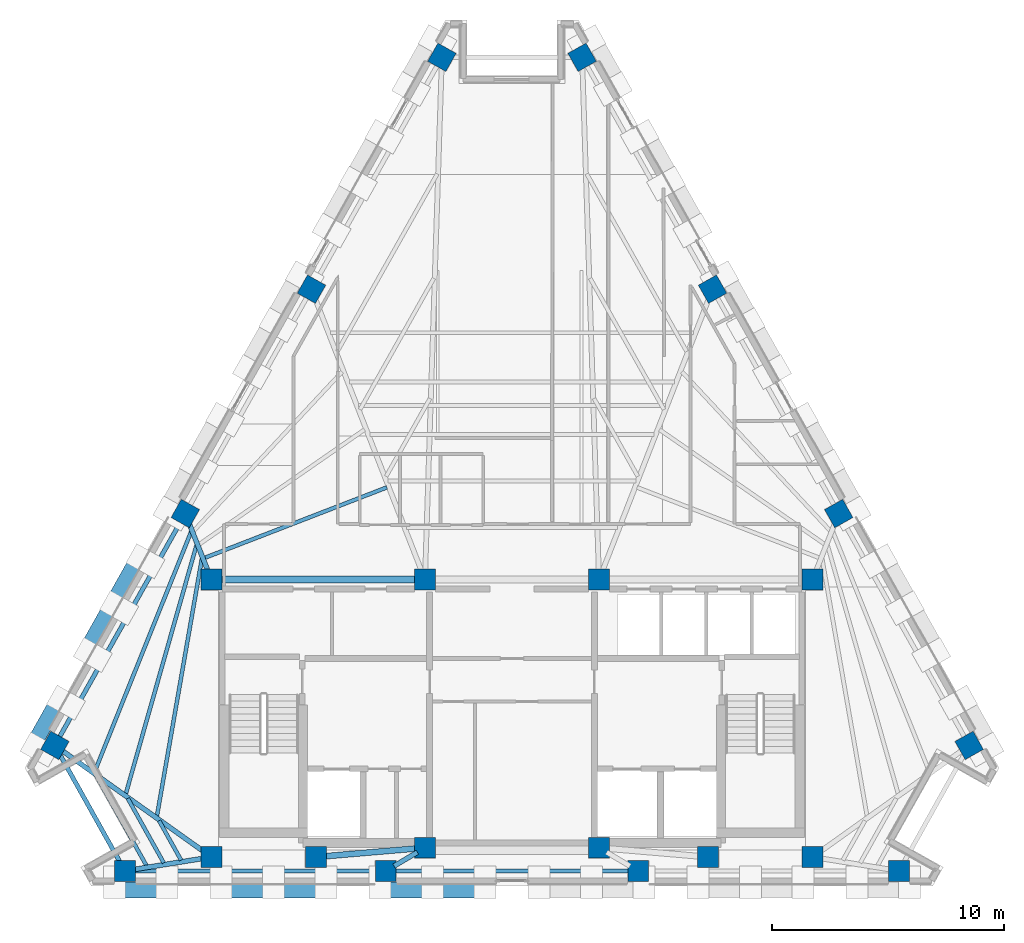
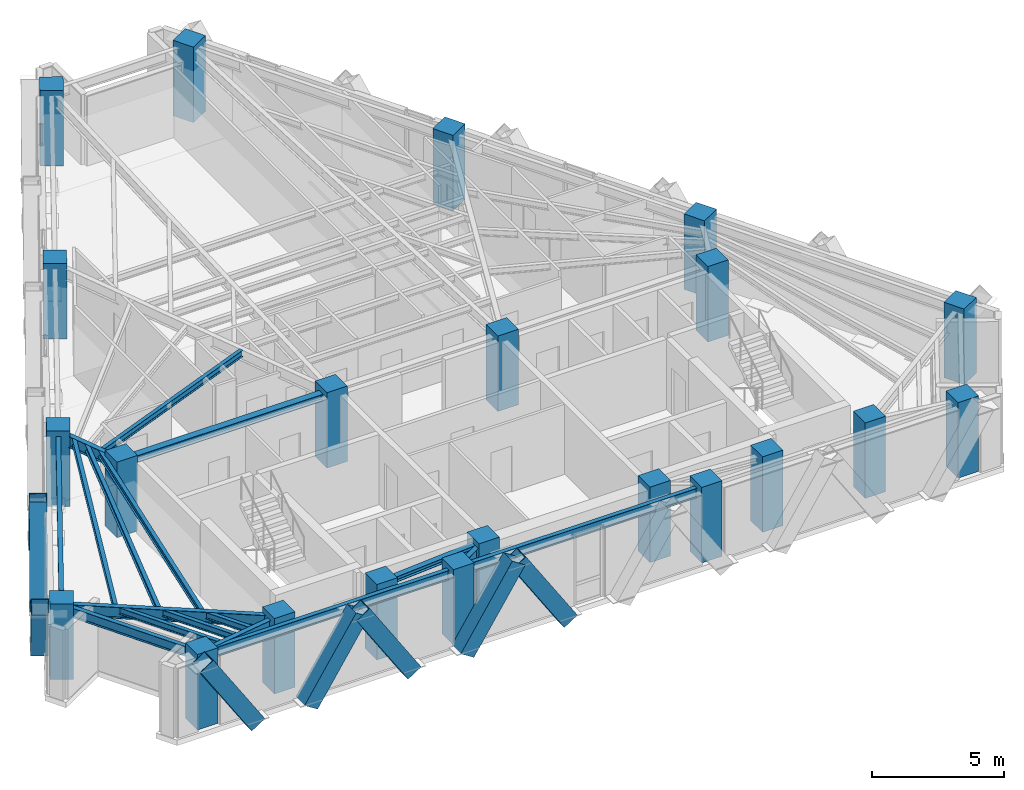
# One storey, part 1 of 13: 22 columns, 17 beams, 8 members.
"""IFC4 building model written with IfcOpenShell, lengths in metres."""

from ifc_helpers import new_model, si_unit, direction, frame, origin, origin_2d, place, context, subcontext, project, spatial, rectangle, hollow_rectangle, i_section, extrude, material, material_profile, profile_set, type_object, element, save


model = new_model("IFC4")

# Units and contexts
model_context = context("Model", 3, precision=1e-05, world=origin(), true_north=direction((0.0, 1.0)))
body_context = subcontext(model_context, "Body", "Model", "MODEL_VIEW")
ifc_project = project(units=[si_unit("LENGTHUNIT", "METRE"), si_unit("AREAUNIT", "SQUARE_METRE"), si_unit("VOLUMEUNIT", "CUBIC_METRE"), si_unit("PLANEANGLEUNIT", "RADIAN"), si_unit("MASSUNIT", "GRAM", prefix="KILO")], contexts=[model_context])

# Site, building, storey
site_placement = place(None, origin())
site = spatial("IfcSite", under=ifc_project, at=site_placement, CompositionType="ELEMENT")
building_placement = place(site_placement, origin())
building = spatial("IfcBuilding", under=site, at=building_placement, Name="Quenlor Broadcast Tower", CompositionType="ELEMENT")
storey_placement = place(building_placement, frame((0.0, 0.0, 207.89990234375)))
storey = spatial("IfcBuildingStorey", under=building, at=storey_placement, Name="L57", CompositionType="ELEMENT", Elevation=207.89990234375)

# Columns
ifc_material_1 = material(Name="Concrete C50/60", Category="concrete")
ifc_material_profile_1 = material_profile(ifc_material_1, rectangle(XDim=0.89990234375, YDim=0.89990234375, at=origin_2d()))
ifc_profile_set_1 = profile_set([ifc_material_profile_1], Name="Concrete C50/60 RC900x900")
column_type_1 = type_object("IfcColumnType", Name="Core Corner Column Upper Concrete C50/60 900", PredefinedType="COLUMN", material=ifc_profile_set_1)
for number, where, z_axis, x_axis, name in (
    (1, (-12.949951171875, -16.75, 0.0), (0.0, 0.0, 1.0), (1.0, 0.0, 0.0), "L57 Core Column CC1"),
    (2, (-8.449951171875, -16.75, 0.0), (0.0, 0.0, 1.0), (1.0, 0.0, 0.0), "L57 Core Column CC2"),
    (3, (-3.75, -16.35009765625, 0.0), (0.0, 0.0, 1.0), (1.0, 0.0, 0.0), "L57 Core Column CC3"),
    (4, (3.75, -16.35009765625, 0.0), (0.0, 0.0, 1.0), (1.0, 0.0, 0.0), "L57 Core Column CC4"),
    (5, (8.449951171875, -16.75, 0.0), (0.0, 0.0, 1.0), (1.0, 0.0, 0.0), "L57 Core Column CC5"),
    (6, (12.949951171875, -16.75, 0.0), (0.0, 0.0, 1.0), (1.0, 0.0, 0.0), "L57 Core Column CC6"),
    (7, (-12.949951171875, -4.800048828125, 0.0), (0.0, 0.0, 1.0), (1.0, 0.0, 0.0), "L57 Core Column CC7"),
    (8, (-3.75, -4.800048828125, 0.0), (0.0, 0.0, 1.0), (1.0, 0.0, 0.0), "L57 Core Column CC8"),
    (9, (3.75, -4.800048828125, 0.0), (0.0, 0.0, 1.0), (1.0, 0.0, 0.0), "L57 Core Column CC9"),
    (10, (12.949951171875, -4.800048828125, 0.0), (0.0, 0.0, 1.0), (1.0, 0.0, 0.0), "L57 Core Column CC10"),
):
    element("IfcColumn", number, at=place(storey_placement, frame(where, z_axis=z_axis, x_axis=x_axis)), inside=storey, type_object=column_type_1, Name=name, PredefinedType="COLUMN", context=body_context, shape_type="SweptSolid", body=[
        extrude(rectangle(XDim=0.89990234375, YDim=0.89990234375, at=origin_2d()), origin(), (0.0, 0.0, 1.0), 3.5),
    ])
ifc_material_2 = material(Name="Concrete C50/60", Category="concrete")
ifc_material_profile_2 = material_profile(ifc_material_2, rectangle(XDim=0.89990234375, YDim=0.89990234375, at=origin_2d()))
ifc_profile_set_2 = profile_set([ifc_material_profile_2], Name="Concrete C50/60 RC900x900")
column_type_2 = type_object("IfcColumnType", Name="Tower Perimeter Column Z4 Concrete C50/60 900", PredefinedType="COLUMN", material=ifc_profile_set_2)
for number, where, z_axis, x_axis, name in (
    (11, (-16.67578125, -17.35009765625, 0.0), (0.0, 0.0, 1.0), (0.0, 1.0, 0.0), "L57 Perimeter Column S1"),
    (12, (-5.437744140625, -17.35009765625, 0.0), (0.0, 0.0, 1.0), (0.0, 1.0, 0.0), "L57 Perimeter Column S2"),
    (13, (5.437744140625, -17.35009765625, 0.0), (0.0, 0.0, 1.0), (0.0, 1.0, 0.0), "L57 Perimeter Column S3"),
    (14, (16.67578125, -17.35009765625, 0.0), (0.0, 0.0, 1.0), (0.0, 1.0, 0.0), "L57 Perimeter Column S4"),
    (15, (19.696533203125, -11.941650390625, 0.0), (0.0, 0.0, 1.0), (0.871575139605, 0.490261946333, 0.0), "L57 Perimeter Column NE1"),
    (16, (14.077392578125, -1.952392578125, 0.0), (0.0, 0.0, 1.0), (0.871575139605, 0.490261946333, 0.0), "L57 Perimeter Column NE2"),
    (17, (8.6396484375, 7.71484375, 0.0), (0.0, 0.0, 1.0), (0.871575139605, 0.490261946333, 0.0), "L57 Perimeter Column NE3"),
    (18, (3.0205078125, 17.704345703125, 0.0), (0.0, 0.0, 1.0), (0.871575139605, 0.490261946333, 0.0), "L57 Perimeter Column NE4"),
    (19, (-3.0205078125, 17.704345703125, 0.0), (0.0, 0.0, 1.0), (-0.871575139605, 0.490261946333, 0.0), "L57 Perimeter Column NW1"),
    (20, (-8.6396484375, 7.71484375, 0.0), (0.0, 0.0, 1.0), (-0.871575139605, 0.490261946333, 0.0), "L57 Perimeter Column NW2"),
    (21, (-14.077392578125, -1.952392578125, 0.0), (0.0, 0.0, 1.0), (-0.871575139605, 0.490261946333, 0.0), "L57 Perimeter Column NW3"),
    (22, (-19.696533203125, -11.941650390625, 0.0), (0.0, 0.0, 1.0), (-0.871575139605, 0.490261946333, 0.0), "L57 Perimeter Column NW4"),
):
    element("IfcColumn", number, at=place(storey_placement, frame(where, z_axis=z_axis, x_axis=x_axis)), inside=storey, type_object=column_type_2, Name=name, PredefinedType="COLUMN", context=body_context, shape_type="SweptSolid", body=[
        extrude(rectangle(XDim=0.89990234375, YDim=0.89990234375, at=origin_2d()), origin(), (0.0, 0.0, 1.0), 3.5),
    ])

# Beams
ifc_material_3 = material(Name="Steel S355", Category="steel")
ifc_material_profile_3 = material_profile(ifc_material_3, i_section(OverallWidth=0.25390625, OverallDepth=0.25390625, WebThickness=0.008544921875, FlangeThickness=0.01416015625, FilletRadius=0.013916015625, at=origin_2d()))
ifc_profile_set_3 = profile_set([ifc_material_profile_3], Name="Steel S355 250UC72.9")
beam_type_1 = type_object("IfcBeamType", Name="Core Opening Lintel Beam Steel S355 250UC72.9", PredefinedType="LINTEL", material=ifc_profile_set_3)
beam_1_placement = place(storey_placement, frame((-8.09130859375, -16.719482421875, 3.123291015625), z_axis=(0.996399763903, 0.084779186679, 0.0), x_axis=(-0.084779186679, 0.996399763903, 0.0)))
element("IfcBeam", 23, at=beam_1_placement, inside=storey, type_object=beam_type_1, Name="L57 Core Opening Lintel Beam 4", PredefinedType="LINTEL", context=body_context, shape_type="SweptSolid", body=[
    extrude(i_section(OverallWidth=0.25390625, OverallDepth=0.25390625, WebThickness=0.008544921875, FlangeThickness=0.01416015625, FilletRadius=0.013916015625, at=origin_2d()), origin(), (0.0, 0.0, 1.0), 3.9970703125),
])
ifc_material_4 = material(Name="Steel S355", Category="steel")
ifc_material_profile_4 = material_profile(ifc_material_4, i_section(OverallWidth=0.306884765625, OverallDepth=0.314697265625, WebThickness=0.011962890625, FlangeThickness=0.018798828125, FilletRadius=0.0166015625, at=origin_2d()))
ifc_profile_set_4 = profile_set([ifc_material_profile_4], Name="Steel S355 310UC118")
beam_type_2 = type_object("IfcBeamType", Name="Core Tie Beam Steel S355 310UC118", PredefinedType="BEAM", material=ifc_profile_set_4)
beam_2_placement = place(storey_placement, frame((-12.590087890625, -4.800048828125, 3.0927734375), z_axis=(1.0, 0.0, 0.0), x_axis=(0.0, 1.0, 0.0)))
element("IfcBeam", 24, at=beam_2_placement, inside=storey, type_object=beam_type_2, Name="L57 Core Tie Beam 1", PredefinedType="BEAM", context=body_context, shape_type="SweptSolid", body=[
    extrude(i_section(OverallWidth=0.306884765625, OverallDepth=0.314697265625, WebThickness=0.011962890625, FlangeThickness=0.018798828125, FilletRadius=0.0166015625, at=origin_2d()), origin(), (0.0, 0.0, 1.0), 8.47998046875),
])

# Members
ifc_material_5 = material(Name="Steel S355", Category="steel")
ifc_material_profile_5 = material_profile(ifc_material_5, hollow_rectangle(XDim=0.679931640625, YDim=0.679931640625, WallThickness=0.02490234375, at=origin_2d()))
ifc_profile_set_5 = profile_set([ifc_material_profile_5], Name="Steel S355 RHS680x680x25")
member_type = type_object("IfcMemberType", Name="Perimeter Diagonal Lattice Brace Z3-Z4 Steel S355 RHS680x25", PredefinedType="BRACE", material=ifc_profile_set_5)
for number, where, z_axis, x_axis, name in (
    (25, (-1.155517578125, -18.169921875, -0.119873046875), (-0.541794306908, 0.0, 0.840511111766), (0.0, -1.0, 0.0), "L57 Perimeter Diamond Lattice S-C3S"),
    (26, (-8.005859375, -18.169921875, -0.119873046875), (-0.541794306908, 0.0, 0.840511111766), (0.0, -1.0, 0.0), "L57 Perimeter Diamond Lattice S-C4S"),
    (27, (-5.695068359375, -18.169921875, -0.119873046875), (0.541794306908, 0.0, 0.840511111766), (0.0, 1.0, 0.0), "L57 Perimeter Diamond Lattice S-C4B"),
    (28, (-14.856201171875, -18.169921875, -0.119873046875), (-0.541794306908, 0.0, 0.840511111766), (0.0, -1.0, 0.0), "L57 Perimeter Diamond Lattice S-C5S"),
    (29, (-12.54541015625, -18.169921875, -0.119873046875), (0.541794306908, 0.0, 0.840511111766), (0.0, 1.0, 0.0), "L57 Perimeter Diamond Lattice S-C5B"),
):
    element("IfcMember", number, at=place(storey_placement, frame(where, z_axis=z_axis, x_axis=x_axis)), inside=storey, type_object=member_type, Name=name, PredefinedType="BRACE", context=body_context, shape_type="SweptSolid", body=[
        extrude(hollow_rectangle(XDim=0.679931640625, YDim=0.679931640625, WallThickness=0.02490234375, at=origin_2d()), origin(), (0.0, 0.0, 1.0), 4.1640625),
    ])
member_placement = place(storey_placement, frame((-18.35302734375, -7.880859375, -0.119873046875), z_axis=(0.269539530269, 0.479181387144, 0.835304519224), x_axis=(-0.871575537125, 0.490261239633, 0.0)))
element("IfcMember", 30, at=member_placement, inside=storey, type_object=member_type, Name="L57 Perimeter Diamond Lattice NW-C1S", PredefinedType="BRACE", context=body_context, shape_type="SweptSolid", body=[
    extrude(hollow_rectangle(XDim=0.679931640625, YDim=0.679931640625, WallThickness=0.02490234375, at=origin_2d()), origin(), (0.0, 0.0, 1.0), 4.190185546875),
])
for number, where, z_axis, x_axis, name in (
    (31, (-19.509765625, -9.937255859375, -0.119873046875), (-0.269547055694, -0.479136497832, 0.835327840559), (0.871550060774, -0.49030652817, 0.0), "L57 Perimeter Diamond Lattice NW-C1B"),
    (32, (-16.08056640625, -3.841064453125, -0.119873046875), (-0.269547055694, -0.479136497832, 0.835327840559), (0.871550060774, -0.49030652817, 0.0), "L57 Perimeter Diamond Lattice NW-C2B"),
):
    element("IfcMember", number, at=place(storey_placement, frame(where, z_axis=z_axis, x_axis=x_axis)), inside=storey, type_object=member_type, Name=name, PredefinedType="BRACE", context=body_context, shape_type="SweptSolid", body=[
        extrude(hollow_rectangle(XDim=0.679931640625, YDim=0.679931640625, WallThickness=0.02490234375, at=origin_2d()), origin(), (0.0, 0.0, 1.0), 4.18994140625),
    ])

# Beams
ifc_material_6 = material(Name="Steel S355", Category="steel")
ifc_material_profile_6 = material_profile(ifc_material_6, i_section(OverallWidth=0.18994140625, OverallDepth=0.453857421875, WebThickness=0.008544921875, FlangeThickness=0.0126953125, FilletRadius=0.011474609375, at=origin_2d()))
ifc_profile_set_6 = profile_set([ifc_material_profile_6], Name="Steel S355 460UB67.1")
beam_type_3 = type_object("IfcBeamType", Name="Perimeter Spandrel Beam Z4 Steel S355 460UB67.1", PredefinedType="SPANDREL", material=ifc_profile_set_6)
beam_3_placement = place(storey_placement, frame((-16.265869140625, -17.35009765625, 3.023193359375), z_axis=(1.0, 0.0, 0.0), x_axis=(0.0, 1.0, 0.0)))
element("IfcBeam", 33, at=beam_3_placement, inside=storey, type_object=beam_type_3, Name="L57 Spandrel Beam S1-S2", PredefinedType="SPANDREL", context=body_context, shape_type="SweptSolid", body=[
    extrude(i_section(OverallWidth=0.18994140625, OverallDepth=0.453857421875, WebThickness=0.008544921875, FlangeThickness=0.0126953125, FilletRadius=0.011474609375, at=origin_2d()), origin(), (0.0, 0.0, 1.0), 10.41796875),
])
beam_4_placement = place(storey_placement, frame((-5.02783203125, -17.35009765625, 3.023193359375), z_axis=(1.0, 0.0, 0.0), x_axis=(0.0, 1.0, 0.0)))
element("IfcBeam", 34, at=beam_4_placement, inside=storey, type_object=beam_type_3, Name="L57 Spandrel Beam S2-S3", PredefinedType="SPANDREL", context=body_context, shape_type="SweptSolid", body=[
    extrude(i_section(OverallWidth=0.18994140625, OverallDepth=0.453857421875, WebThickness=0.008544921875, FlangeThickness=0.0126953125, FilletRadius=0.011474609375, at=origin_2d()), origin(), (0.0, 0.0, 1.0), 10.0556640625),
])
beam_5_placement = place(storey_placement, frame((-14.2783203125, -2.3095703125, 3.023193359375), z_axis=(-0.490272131974, -0.871569410093, 0.0), x_axis=(0.871569410093, -0.490272131974, 0.0)))
element("IfcBeam", 35, at=beam_5_placement, inside=storey, type_object=beam_type_3, Name="L57 Spandrel Beam NW3-NW4", PredefinedType="SPANDREL", context=body_context, shape_type="SweptSolid", body=[
    extrude(i_section(OverallWidth=0.18994140625, OverallDepth=0.453857421875, WebThickness=0.008544921875, FlangeThickness=0.0126953125, FilletRadius=0.011474609375, at=origin_2d()), origin(), (0.0, 0.0, 1.0), 10.6416015625),
])
beam_6_placement = place(storey_placement, frame((-19.49658203125, -12.2998046875, 3.023193359375), z_axis=(0.487647250206, -0.8730407547, 0.0), x_axis=(0.8730407547, 0.487647250206, 0.0)))
element("IfcBeam", 36, at=beam_6_placement, inside=storey, type_object=beam_type_3, Name="L57 Spandrel Beam NW4-S1", PredefinedType="SPANDREL", context=body_context, shape_type="SweptSolid", body=[
    extrude(i_section(OverallWidth=0.18994140625, OverallDepth=0.453857421875, WebThickness=0.008544921875, FlangeThickness=0.0126953125, FilletRadius=0.011474609375, at=origin_2d()), origin(), (0.0, 0.0, 1.0), 5.37451171875),
])
ifc_material_7 = material(Name="Steel S355", Category="steel")
ifc_material_profile_7 = material_profile(ifc_material_7, i_section(OverallWidth=0.166015625, OverallDepth=0.30712890625, WebThickness=0.006591796875, FlangeThickness=0.01171875, FilletRadius=0.011474609375, at=origin_2d()))
ifc_profile_set_7 = profile_set([ifc_material_profile_7], Name="Steel S355 310UB46.2")
beam_type_4 = type_object("IfcBeamType", Name="Tower Composite Joist Z4-Z5 Steel S355 310UB46.2", PredefinedType="JOIST", material=ifc_profile_set_7)
beam_7_placement = place(storey_placement, frame((-13.236083984375, -3.85986328125, 3.096435546875), z_axis=(0.932639299023, 0.360810113381, 0.0), x_axis=(-0.360810113381, 0.932639299023, 0.0)))
element("IfcBeam", 37, at=beam_7_placement, inside=storey, type_object=beam_type_4, Name="L57 Secondary Composite Joist 7", PredefinedType="JOIST", context=body_context, shape_type="SweptSolid", body=[
    extrude(i_section(OverallWidth=0.166015625, OverallDepth=0.30712890625, WebThickness=0.006591796875, FlangeThickness=0.01171875, FilletRadius=0.011474609375, at=origin_2d()), origin(), (0.0, 0.0, 1.0), 8.413330078125),
])
beam_8_placement = place(storey_placement, frame((-15.297607421875, -14.98828125, 3.096435546875), z_axis=(0.172003691938, 0.985096304916, 0.0), x_axis=(-0.985096304916, 0.172003691938, 0.0)))
element("IfcBeam", 38, at=beam_8_placement, inside=storey, type_object=beam_type_4, Name="L57 Secondary Composite Joist 13", PredefinedType="JOIST", context=body_context, shape_type="SweptSolid", body=[
    extrude(i_section(OverallWidth=0.166015625, OverallDepth=0.30712890625, WebThickness=0.006591796875, FlangeThickness=0.01171875, FilletRadius=0.011474609375, at=origin_2d()), origin(), (0.0, 0.0, 1.0), 11.274169921875),
])
beam_9_placement = place(storey_placement, frame((-16.638671875, -14.028564453125, 3.096435546875), z_axis=(0.273447576454, 0.961886907558, 0.0), x_axis=(-0.961886907558, 0.273447576454, 0.0)))
element("IfcBeam", 39, at=beam_9_placement, inside=storey, type_object=beam_type_4, Name="L57 Secondary Composite Joist 14", PredefinedType="JOIST", context=body_context, shape_type="SweptSolid", body=[
    extrude(i_section(OverallWidth=0.166015625, OverallDepth=0.30712890625, WebThickness=0.006591796875, FlangeThickness=0.01171875, FilletRadius=0.011474609375, at=origin_2d()), origin(), (0.0, 0.0, 1.0), 11.142333984375),
])
beam_10_placement = place(storey_placement, frame((-17.97998046875, -13.069580078125, 3.096435546875), z_axis=(0.373094895103, 0.927793187757, 0.0), x_axis=(-0.927793187757, 0.373094895103, 0.0)))
element("IfcBeam", 40, at=beam_10_placement, inside=storey, type_object=beam_type_4, Name="L57 Secondary Composite Joist 15", PredefinedType="JOIST", context=body_context, shape_type="SweptSolid", body=[
    extrude(i_section(OverallWidth=0.166015625, OverallDepth=0.30712890625, WebThickness=0.006591796875, FlangeThickness=0.01171875, FilletRadius=0.011474609375, at=origin_2d()), origin(), (0.0, 0.0, 1.0), 11.13525390625),
])
beam_11_placement = place(storey_placement, frame((-14.255859375, -16.88427734375, 3.096435546875), z_axis=(-0.487590799665, 0.873072283423, 0.0), x_axis=(-0.873072283423, -0.487590799665, 0.0)))
element("IfcBeam", 41, at=beam_11_placement, inside=storey, type_object=beam_type_4, Name="L57 Secondary Composite Joist 19", PredefinedType="JOIST", context=body_context, shape_type="SweptSolid", body=[
    extrude(i_section(OverallWidth=0.166015625, OverallDepth=0.30712890625, WebThickness=0.006591796875, FlangeThickness=0.01171875, FilletRadius=0.011474609375, at=origin_2d()), origin(), (0.0, 0.0, 1.0), 1.9462890625),
])
beam_12_placement = place(storey_placement, frame((-15.0009765625, -17.004150390625, 3.096435546875), z_axis=(-0.487646119388, 0.87304138633, 0.0), x_axis=(-0.87304138633, -0.487646119388, 0.0)))
element("IfcBeam", 42, at=beam_12_placement, inside=storey, type_object=beam_type_4, Name="L57 Secondary Composite Joist 20", PredefinedType="JOIST", context=body_context, shape_type="SweptSolid", body=[
    extrude(i_section(OverallWidth=0.166015625, OverallDepth=0.30712890625, WebThickness=0.006591796875, FlangeThickness=0.01171875, FilletRadius=0.011474609375, at=origin_2d()), origin(), (0.0, 0.0, 1.0), 3.18505859375),
])
beam_13_placement = place(storey_placement, frame((-15.74609375, -17.124267578125, 3.096435546875), z_axis=(-0.487604899573, 0.873064408799, 0.0), x_axis=(-0.873064408799, -0.487604899573, 0.0)))
element("IfcBeam", 43, at=beam_13_placement, inside=storey, type_object=beam_type_4, Name="L57 Secondary Composite Joist 21", PredefinedType="JOIST", context=body_context, shape_type="SweptSolid", body=[
    extrude(i_section(OverallWidth=0.166015625, OverallDepth=0.30712890625, WebThickness=0.006591796875, FlangeThickness=0.01171875, FilletRadius=0.011474609375, at=origin_2d()), origin(), (0.0, 0.0, 1.0), 4.424072265625),
])
ifc_material_8 = material(Name="Steel S355", Category="steel")
ifc_material_profile_8 = material_profile(ifc_material_8, i_section(OverallWidth=0.208984375, OverallDepth=0.5283203125, WebThickness=0.009521484375, FlangeThickness=0.01318359375, FilletRadius=0.013916015625, at=origin_2d()))
ifc_profile_set_8 = profile_set([ifc_material_profile_8], Name="Steel S355 530UB82.0")
beam_type_5 = type_object("IfcBeamType", Name="Tower Primary Floor Beam Z4 Steel S355 530UB82.0", PredefinedType="BEAM", material=ifc_profile_set_8)
beam_14_placement = place(storey_placement, frame((-16.27099609375, -17.284912109375, 2.986083984375), z_axis=(0.987268490875, 0.159062650942, 0.0), x_axis=(-0.159062650942, 0.987268490875, 0.0)))
element("IfcBeam", 44, at=beam_14_placement, inside=storey, type_object=beam_type_5, Name="L57 Primary Radial Beam S1", PredefinedType="BEAM", context=body_context, shape_type="SweptSolid", body=[
    extrude(i_section(OverallWidth=0.208984375, OverallDepth=0.5283203125, WebThickness=0.009521484375, FlangeThickness=0.01318359375, FilletRadius=0.013916015625, at=origin_2d()), origin(), (0.0, 0.0, 1.0), 2.98388671875),
])
beam_15_placement = place(storey_placement, frame((-5.085205078125, -17.14111328125, 2.986083984375), z_axis=(0.86032875258, 0.509739578102, 0.0), x_axis=(-0.509739578102, 0.86032875258, 0.0)))
element("IfcBeam", 45, at=beam_15_placement, inside=storey, type_object=beam_type_5, Name="L57 Primary Radial Beam S2", PredefinedType="BEAM", context=body_context, shape_type="SweptSolid", body=[
    extrude(i_section(OverallWidth=0.208984375, OverallDepth=0.5283203125, WebThickness=0.009521484375, FlangeThickness=0.01318359375, FilletRadius=0.013916015625, at=origin_2d()), origin(), (0.0, 0.0, 1.0), 1.171875),
])
beam_16_placement = place(storey_placement, frame((-13.926513671875, -2.33349609375, 2.986083984375), z_axis=(0.368110359783, -0.92978210513, 0.0), x_axis=(0.92978210513, 0.368110359783, 0.0)))
element("IfcBeam", 46, at=beam_16_placement, inside=storey, type_object=beam_type_5, Name="L57 Primary Radial Beam NW3", PredefinedType="BEAM", context=body_context, shape_type="SweptSolid", body=[
    extrude(i_section(OverallWidth=0.208984375, OverallDepth=0.5283203125, WebThickness=0.009521484375, FlangeThickness=0.01318359375, FilletRadius=0.013916015625, at=origin_2d()), origin(), (0.0, 0.0, 1.0), 2.27294921875),
])
beam_17_placement = place(storey_placement, frame((-19.362548828125, -12.1796875, 2.986083984375), z_axis=(0.814329531787, -0.580402802938, 0.0), x_axis=(0.580402802938, 0.814329531787, 0.0)))
element("IfcBeam", 47, at=beam_17_placement, inside=storey, type_object=beam_type_5, Name="L57 Primary Radial Beam NW4", PredefinedType="BEAM", context=body_context, shape_type="SweptSolid", body=[
    extrude(i_section(OverallWidth=0.208984375, OverallDepth=0.5283203125, WebThickness=0.009521484375, FlangeThickness=0.01318359375, FilletRadius=0.013916015625, at=origin_2d()), origin(), (0.0, 0.0, 1.0), 7.49462890625),
])

save(model, "model.ifc")
